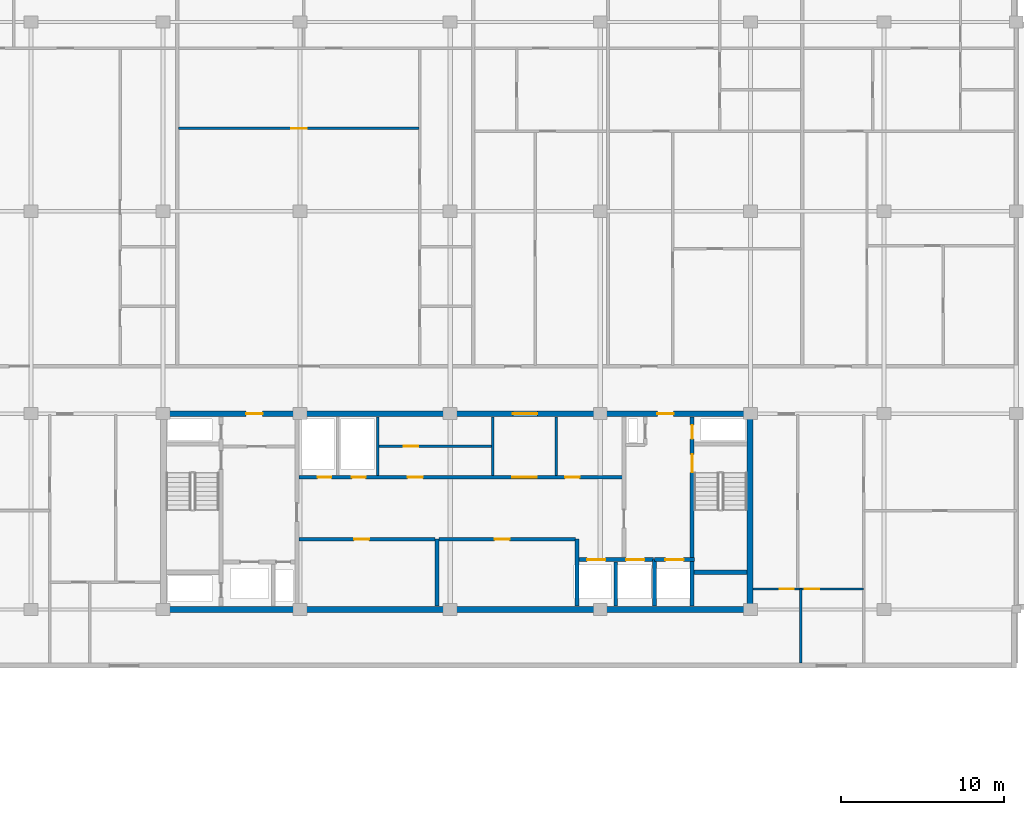
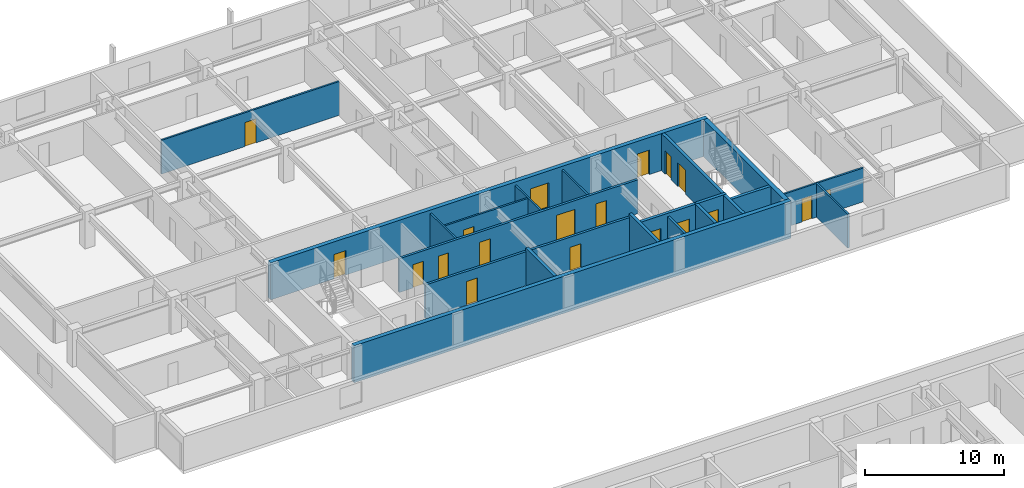
# One storey, part 11 of 21: 21 walls, 19 doors, 19 openings.
"""IFC4 building model written with IfcOpenShell, lengths in metres."""

from ifc_helpers import new_model, si_unit, direction, frame, frame_2d, origin, place, context, subcontext, project, spatial, rectangle, extrude, material, layer, layer_set, type_object, element, fill, save


model = new_model("IFC4")

# Units and contexts
model_context = context("Model", 3, precision=1e-05, world=origin(), true_north=direction((0.0, 1.0)))
body_context = subcontext(model_context, "Body", "Model", "MODEL_VIEW")
ifc_project = project(units=[si_unit("LENGTHUNIT", "METRE"), si_unit("AREAUNIT", "SQUARE_METRE"), si_unit("VOLUMEUNIT", "CUBIC_METRE"), si_unit("PLANEANGLEUNIT", "RADIAN"), si_unit("MASSUNIT", "GRAM", prefix="KILO")], contexts=[model_context])

# Site, building, storey
site_placement = place(None, origin())
site = spatial("IfcSite", under=ifc_project, at=site_placement, CompositionType="ELEMENT")
building_placement = place(site_placement, origin())
building = spatial("IfcBuilding", under=site, at=building_placement, Name="Korimba Cascade Residences", CompositionType="ELEMENT")
storey_placement = place(building_placement, frame((0.0, 0.0, 184.85009765625)))
storey = spatial("IfcBuildingStorey", under=building, at=storey_placement, Name="L53", CompositionType="ELEMENT", Elevation=184.85009765625)

# Walls
ifc_material_1 = material(Name="Concrete C65/80", Category="concrete")
ifc_layer_1 = layer(ifc_material_1, 0.35009765625)
ifc_layer_set_1 = layer_set([ifc_layer_1], Name="Concrete C65/80")
wall_type_1 = type_object("IfcWallType", Name="WAL-CORE-350", PredefinedType="SHEAR", material=ifc_layer_set_1)
wall_1_placement = place(storey_placement, frame((75.949951171875, 55.199951171875, 0.0), z_axis=(0.0, 0.0, 1.0), x_axis=(1.0, 0.0, 0.0)))
element("IfcWall", 1, at=wall_1_placement, inside=storey, type_object=wall_type_1, Name="L53 Core Shear Wall CW-L53-T1-S", PredefinedType="SHEAR", context=body_context, shape_type="SweptSolid", body=[
    extrude(rectangle(XDim=36.300048828125, YDim=0.35009765625, at=frame_2d((18.14990234375, 0.0))), origin(), (0.0, 0.0, 1.0), 3.25),
])
wall_2_placement = place(storey_placement, frame((112.074951171875, 55.375, 0.0), z_axis=(0.0, 0.0, 1.0), x_axis=(0.0, 1.0, 0.0)))
element("IfcWall", 2, at=wall_2_placement, inside=storey, type_object=wall_type_1, Name="L53 Core Shear Wall CW-L53-T1-E", PredefinedType="SHEAR", context=body_context, shape_type="SweptSolid", body=[
    extrude(rectangle(XDim=11.64990234375, YDim=0.35009765625, at=frame_2d((5.824951171875, 0.0))), origin(), (0.0, 0.0, 1.0), 3.25),
])

# Wall, openings, doors
wall_3_placement = place(storey_placement, frame((75.949951171875, 67.199951171875, 0.0), z_axis=(0.0, 0.0, 1.0), x_axis=(1.0, 0.0, 0.0)))
wall_3 = element("IfcWall", 3, at=wall_3_placement, inside=storey, type_object=wall_type_1, Name="L53 Core Shear Wall CW-L53-T1-N", PredefinedType="SHEAR", context=body_context, shape_type="SweptSolid", body=[
    extrude(rectangle(XDim=36.300048828125, YDim=0.35009765625, at=frame_2d((18.14990234375, 0.0))), origin(), (0.0, 0.0, 1.0), 3.25),
])
opening_1_placement = place(wall_3_placement, frame((5.25, 0.0, 0.0)))
opening_1 = element("IfcOpeningElement", 4, at=opening_1_placement, cuts=wall_3, Name="Opening D-FD5", PredefinedType="OPENING", context=body_context, shape_type="SweptSolid", body=[
    extrude(rectangle(XDim=1.0, YDim=2.14990234375, at=frame_2d((0.5, 1.074951171875))), frame((0.0, 0.18505859375, 0.0), z_axis=(0.0, -1.0, 0.0), x_axis=(1.0, 0.0, 0.0)), (0.0, 0.0, 1.0), 0.3701171875),
])
opening_2_placement = place(wall_3_placement, frame((21.60009765625, 0.0, 0.0)))
opening_2 = element("IfcOpeningElement", 5, at=opening_2_placement, cuts=wall_3, Name="Opening D-FD8", PredefinedType="OPENING", context=body_context, shape_type="SweptSolid", body=[
    extrude(rectangle(XDim=1.5, YDim=2.199951171875, at=frame_2d((0.75, 1.10009765625))), frame((0.0, 0.18505859375, 0.0), z_axis=(0.0, -1.0, 0.0), x_axis=(1.0, 0.0, 0.0)), (0.0, 0.0, 1.0), 0.3701171875),
])
opening_3_placement = place(wall_3_placement, frame((30.449951171875, 0.0, 0.0)))
opening_3 = element("IfcOpeningElement", 6, at=opening_3_placement, cuts=wall_3, Name="Opening D-FD5", PredefinedType="OPENING", context=body_context, shape_type="SweptSolid", body=[
    extrude(rectangle(XDim=1.0, YDim=2.14990234375, at=frame_2d((0.5, 1.074951171875))), frame((0.0, 0.18505859375, 0.0), z_axis=(0.0, -1.0, 0.0), x_axis=(1.0, 0.0, 0.0)), (0.0, 0.0, 1.0), 0.3701171875),
])
ifc_material_2 = material(Name="Fire-Rated Acoustic Timber Vestibule Door", Category="wood")
door_type_1 = type_object("IfcDoorType", Name="DR-FD90-1000", OperationType="NOTDEFINED", PredefinedType="DOOR", material=ifc_material_2)
door_1_placement = place(opening_1_placement, origin())
door_1 = element("IfcDoor", 7, at=door_1_placement, inside=storey, type_object=door_type_1, Name="L53 T1 West Core Vestibule Fire Door", OperationType="SINGLE_SWING_LEFT", OverallHeight=2.14990234375, OverallWidth=1.0, PredefinedType="DOOR", context=body_context, shape_type="SweptSolid", body=[
    extrude(rectangle(XDim=1.0, YDim=2.14990234375, at=frame_2d((0.5, 1.074951171875))), frame((0.0, 0.02490234375, 0.0), z_axis=(0.0, -1.0, 0.0), x_axis=(1.0, 0.0, 0.0)), (0.0, 0.0, 1.0), 0.050048828125),
])
fill(opening_1, door_1)
door_2_placement = place(opening_3_placement, origin())
door_2 = element("IfcDoor", 8, at=door_2_placement, inside=storey, type_object=door_type_1, Name="L53 T1 East Firefighting Vestibule Fire Door", OperationType="SINGLE_SWING_RIGHT", OverallHeight=2.14990234375, OverallWidth=1.0, PredefinedType="DOOR", context=body_context, shape_type="SweptSolid", body=[
    extrude(rectangle(XDim=1.0, YDim=2.14990234375, at=frame_2d((0.5, 1.074951171875))), frame((0.0, 0.02490234375, 0.0), z_axis=(0.0, -1.0, 0.0), x_axis=(1.0, 0.0, 0.0)), (0.0, 0.0, 1.0), 0.050048828125),
])
fill(opening_3, door_2)
ifc_material_3 = material(Name="Fire-Rated Glazed Lift Lobby Double Door", Category="glass")
door_type_2 = type_object("IfcDoorType", Name="DR-FD90-1500", OperationType="NOTDEFINED", PredefinedType="DOOR", material=ifc_material_3)
door_3_placement = place(opening_2_placement, origin())
door_3 = element("IfcDoor", 9, at=door_3_placement, inside=storey, type_object=door_type_2, Name="L53 T1 Lift Lobby Fire Door", OperationType="DOUBLE_DOOR_SINGLE_SWING", OverallHeight=2.199951171875, OverallWidth=1.5, PredefinedType="DOOR", context=body_context, shape_type="SweptSolid", body=[
    extrude(rectangle(XDim=1.5, YDim=2.199951171875, at=frame_2d((0.75, 1.10009765625))), frame((0.0, 0.02490234375, 0.0), z_axis=(0.0, -1.0, 0.0), x_axis=(1.0, 0.0, 0.0)), (0.0, 0.0, 1.0), 0.050048828125),
])
fill(opening_2, door_3)

# Wall
ifc_material_4 = material(Name="Insulated Acoustic Stud Partition", Category="gypsum")
ifc_layer_2 = layer(ifc_material_4, 0.14990234375)
ifc_layer_set_2 = layer_set([ifc_layer_2], Name="Insulated Acoustic Stud Partition")
wall_type_2 = type_object("IfcWallType", Name="WAL-PART-150", PredefinedType="PARTITIONING", material=ifc_layer_set_2)
wall_4_placement = place(storey_placement, frame((89.25, 63.39990234375, 0.0), z_axis=(0.0, 0.0, 1.0), x_axis=(0.0, 1.0, 0.0)))
element("IfcWall", 10, at=wall_4_placement, inside=storey, type_object=wall_type_2, Name="L53 Partition Wall CW-L53-T1-PRDIV", PredefinedType="PARTITIONING", context=body_context, shape_type="SweptSolid", body=[
    extrude(rectangle(XDim=3.60009765625, YDim=0.14990234375, at=frame_2d((1.800048828125, 0.0))), origin(), (0.0, 0.0, 1.0), 2.969970703125),
])

# Wall, opening, door
wall_5_placement = place(storey_placement, frame((89.25, 65.199951171875, 0.0), z_axis=(0.0, 0.0, 1.0), x_axis=(1.0, 0.0, 0.0)))
wall_5 = element("IfcWall", 11, at=wall_5_placement, inside=storey, type_object=wall_type_2, Name="L53 Partition Wall CW-L53-T1-CA2HZ", PredefinedType="PARTITIONING", context=body_context, shape_type="SweptSolid", body=[
    extrude(rectangle(XDim=7.050048828125, YDim=0.14990234375, at=frame_2d((3.52490234375, 0.0))), origin(), (0.0, 0.0, 1.0), 2.969970703125),
])
opening_4_placement = place(wall_5_placement, frame((1.60009765625, 0.0, 0.0)))
opening_4 = element("IfcOpeningElement", 12, at=opening_4_placement, cuts=wall_5, Name="Opening D-IN2", PredefinedType="OPENING", context=body_context, shape_type="SweptSolid", body=[
    extrude(rectangle(XDim=0.8798828125, YDim=2.06005859375, at=frame_2d((0.43994140625, 1.030029296875))), frame((0.0, 0.0849609375, 0.0), z_axis=(0.0, -1.0, 0.0), x_axis=(1.0, 0.0, 0.0)), (0.0, 0.0, 1.0), 0.169921875),
])
ifc_material_5 = material(Name="Acoustic Timber Bedroom Door", Category="wood")
door_type_3 = type_object("IfcDoorType", Name="DR-INT-880", OperationType="NOTDEFINED", PredefinedType="DOOR", material=ifc_material_5)
door_4_placement = place(opening_4_placement, origin())
door_4 = element("IfcDoor", 13, at=door_4_placement, inside=storey, type_object=door_type_3, Name="L53 Pram Store Door", OperationType="SINGLE_SWING_LEFT", OverallHeight=2.06005859375, OverallWidth=0.8798828125, PredefinedType="DOOR", context=body_context, shape_type="SweptSolid", body=[
    extrude(rectangle(XDim=0.8798828125, YDim=2.06005859375, at=frame_2d((0.43994140625, 1.030029296875))), frame((0.0, 0.02490234375, 0.0), z_axis=(0.0, -1.0, 0.0), x_axis=(1.0, 0.0, 0.0)), (0.0, 0.0, 1.0), 0.050048828125),
])
fill(opening_4, door_4)

# Walls
for number, where, z_axis, x_axis, name in (
    (14, (96.300048828125, 63.39990234375, 0.0), (0.0, 0.0, 1.0), (0.0, 1.0, 0.0), "L53 Partition Wall CW-L53-T1-THW"),
    (15, (100.199951171875, 63.39990234375, 0.0), (0.0, 0.0, 1.0), (0.0, 1.0, 0.0), "L53 Partition Wall CW-L53-T1-THE"),
):
    element("IfcWall", number, at=place(storey_placement, frame(where, z_axis=z_axis, x_axis=x_axis)), inside=storey, type_object=wall_type_2, Name=name, PredefinedType="PARTITIONING", context=body_context, shape_type="SweptSolid", body=[
        extrude(rectangle(XDim=3.60009765625, YDim=0.14990234375, at=frame_2d((1.800048828125, 0.0))), origin(), (0.0, 0.0, 1.0), 2.969970703125),
    ])
wall_6_placement = place(storey_placement, frame((115.199951171875, 51.89990234375, 0.0), z_axis=(0.0, 0.0, 1.0), x_axis=(0.0, 1.0, 0.0)))
element("IfcWall", 16, at=wall_6_placement, inside=storey, type_object=wall_type_2, Name="L53 Partition Wall WAL-L53-T1-FE-VS", PredefinedType="PARTITIONING", context=body_context, shape_type="SweptSolid", body=[
    extrude(rectangle(XDim=4.550048828125, YDim=0.14990234375, at=frame_2d((2.27490234375, 0.0))), origin(), (0.0, 0.0, 1.0), 2.969970703125),
])

# Wall, openings, doors
wall_7_placement = place(storey_placement, frame((112.27001953125, 56.449951171875, 0.0), z_axis=(0.0, 0.0, 1.0), x_axis=(1.0, 0.0, 0.0)))
wall_7 = element("IfcWall", 17, at=wall_7_placement, inside=storey, type_object=wall_type_2, Name="L53 Partition Wall WAL-L53-T1-FE-H", PredefinedType="PARTITIONING", context=body_context, shape_type="SweptSolid", body=[
    extrude(rectangle(XDim=6.760009765625, YDim=0.14990234375, at=frame_2d((3.3798828125, 0.0))), origin(), (0.0, 0.0, 1.0), 2.969970703125),
])
opening_5_placement = place(wall_7_placement, frame((1.6396484375, 0.0, 0.0)))
opening_5 = element("IfcOpeningElement", 18, at=opening_5_placement, cuts=wall_7, Name="Opening D-BT1", PredefinedType="OPENING", context=body_context, shape_type="SweptSolid", body=[
    extrude(rectangle(XDim=0.840087890625, YDim=2.0400390625, at=frame_2d((0.419921875, 1.02001953125))), frame((0.0, 0.0849609375, 0.0), z_axis=(0.0, -1.0, 0.0), x_axis=(1.0, 0.0, 0.0)), (0.0, 0.0, 1.0), 0.169921875),
])
opening_6_placement = place(wall_7_placement, frame((3.160400390625, 0.0, 0.0)))
opening_6 = element("IfcOpeningElement", 19, at=opening_6_placement, cuts=wall_7, Name="Opening D-IN2", PredefinedType="OPENING", context=body_context, shape_type="SweptSolid", body=[
    extrude(rectangle(XDim=0.8798828125, YDim=2.06005859375, at=frame_2d((0.43994140625, 1.030029296875))), frame((0.0, 0.0849609375, 0.0), z_axis=(0.0, -1.0, 0.0), x_axis=(1.0, 0.0, 0.0)), (0.0, 0.0, 1.0), 0.169921875),
])
ifc_material_6 = material(Name="Moisture-Resistant Bathroom Timber Door", Category="wood")
door_type_4 = type_object("IfcDoorType", Name="DR-INT-850", OperationType="NOTDEFINED", PredefinedType="DOOR", material=ifc_material_6)
door_5_placement = place(opening_5_placement, origin())
door_5 = element("IfcDoor", 20, at=door_5_placement, inside=storey, type_object=door_type_4, Name="L53-T1-FE Bathroom Door", OperationType="SINGLE_SWING_LEFT", OverallHeight=2.0400390625, OverallWidth=0.840087890625, PredefinedType="DOOR", context=body_context, shape_type="SweptSolid", body=[
    extrude(rectangle(XDim=0.840087890625, YDim=2.0400390625, at=frame_2d((0.419921875, 1.02001953125))), frame((0.0, 0.02490234375, 0.0), z_axis=(0.0, -1.0, 0.0), x_axis=(1.0, 0.0, 0.0)), (0.0, 0.0, 1.0), 0.050048828125),
])
fill(opening_5, door_5)
door_6_placement = place(opening_6_placement, origin())
door_6 = element("IfcDoor", 21, at=door_6_placement, inside=storey, type_object=door_type_3, Name="L53-T1-FE Bedroom Door", OperationType="SINGLE_SWING_RIGHT", OverallHeight=2.06005859375, OverallWidth=0.8798828125, PredefinedType="DOOR", context=body_context, shape_type="SweptSolid", body=[
    extrude(rectangle(XDim=0.8798828125, YDim=2.06005859375, at=frame_2d((0.43994140625, 1.030029296875))), frame((0.0, 0.02490234375, 0.0), z_axis=(0.0, -1.0, 0.0), x_axis=(1.0, 0.0, 0.0)), (0.0, 0.0, 1.0), 0.050048828125),
])
fill(opening_6, door_6)

# Wall, opening, door
wall_8_placement = place(storey_placement, frame((77.048095703125, 84.679931640625, 0.0), z_axis=(0.0, 0.0, 1.0), x_axis=(1.0, 0.0, 0.0)))
wall_8 = element("IfcWall", 22, at=wall_8_placement, inside=storey, type_object=wall_type_2, Name="L53 Partition Wall WAL-L53-T1-U02-CARH", PredefinedType="PARTITIONING", context=body_context, shape_type="SweptSolid", body=[
    extrude(rectangle(XDim=14.75341796875, YDim=0.14990234375, at=frame_2d((7.376708984375, 0.0))), origin(), (0.0, 0.0, 1.0), 2.969970703125),
])
opening_7_placement = place(wall_8_placement, frame((6.906494140625, 0.0, 0.0)))
opening_7 = element("IfcOpeningElement", 23, at=opening_7_placement, cuts=wall_8, Name="Opening D-IN0", PredefinedType="OPENING", context=body_context, shape_type="SweptSolid", body=[
    extrude(rectangle(XDim=0.93994140625, YDim=2.10009765625, at=frame_2d((0.469970703125, 1.050048828125))), frame((0.0, 0.0849609375, 0.0), z_axis=(0.0, -1.0, 0.0), x_axis=(1.0, 0.0, 0.0)), (0.0, 0.0, 1.0), 0.169921875),
])
ifc_material_7 = material(Name="Acoustic Timber Living Archway Door", Category="wood")
door_type_5 = type_object("IfcDoorType", Name="DR-INT-950", OperationType="NOTDEFINED", PredefinedType="DOOR", material=ifc_material_7)
door_7_placement = place(opening_7_placement, origin())
door_7 = element("IfcDoor", 24, at=door_7_placement, inside=storey, type_object=door_type_5, Name="L53-T1-U02 Wellness Clinic Foyer Door", OperationType="SINGLE_SWING_LEFT", OverallHeight=2.10009765625, OverallWidth=0.93994140625, PredefinedType="DOOR", context=body_context, shape_type="SweptSolid", body=[
    extrude(rectangle(XDim=0.93994140625, YDim=2.10009765625, at=frame_2d((0.469970703125, 1.050048828125))), frame((0.0, 0.02490234375, 0.0), z_axis=(0.0, -1.0, 0.0), x_axis=(1.0, 0.0, 0.0)), (0.0, 0.0, 1.0), 0.050048828125),
])
fill(opening_7, door_7)

ifc_material_8 = material(Name="Concrete C40/50", Category="concrete")
ifc_layer_3 = layer(ifc_material_8, 0.199951171875)
ifc_layer_set_3 = layer_set([ifc_layer_3], Name="Concrete C40/50")
wall_type_3 = type_object("IfcWallType", Name="WAL-PART-200", PredefinedType="PARTITIONING", material=ifc_layer_set_3)
wall_9_placement = place(storey_placement, frame((84.419921875, 59.5, 0.0), z_axis=(0.0, 0.0, 1.0), x_axis=(1.0, 0.0, 0.0)))
wall_9 = element("IfcWall", 25, at=wall_9_placement, inside=storey, type_object=wall_type_3, Name="L53 Partition Wall CW-L53-T1-B1RN", PredefinedType="PARTITIONING", context=body_context, shape_type="SweptSolid", body=[
    extrude(rectangle(XDim=8.360107421875, YDim=0.199951171875, at=frame_2d((4.18017578125, 0.0))), origin(), (0.0, 0.0, 1.0), 2.969970703125),
])
opening_8_placement = place(wall_9_placement, frame((3.39990234375, 0.0, 0.0)))
opening_8 = element("IfcOpeningElement", 26, at=opening_8_placement, cuts=wall_9, Name="Opening D-ST1", PredefinedType="OPENING", context=body_context, shape_type="SweptSolid", body=[
    extrude(rectangle(XDim=0.919921875, YDim=2.080078125, at=frame_2d((0.4599609375, 1.0400390625))), frame((0.0, 0.10986328125, 0.0), z_axis=(0.0, -1.0, 0.0), x_axis=(1.0, 0.0, 0.0)), (0.0, 0.0, 1.0), 0.219970703125),
])
ifc_material_9 = material(Name="Fire-Rated Core Store Door", Category="wood")
door_type_6 = type_object("IfcDoorType", Name="DR-FD60-920", OperationType="NOTDEFINED", PredefinedType="DOOR", material=ifc_material_9)
door_8_placement = place(opening_8_placement, origin())
door_8 = element("IfcDoor", 27, at=door_8_placement, inside=storey, type_object=door_type_6, Name="L53 Resident Storage Door", OperationType="SINGLE_SWING_LEFT", OverallHeight=2.080078125, OverallWidth=0.919921875, PredefinedType="DOOR", context=body_context, shape_type="SweptSolid", body=[
    extrude(rectangle(XDim=0.919921875, YDim=2.080078125, at=frame_2d((0.4599609375, 1.0400390625))), frame((0.0, 0.02490234375, 0.0), z_axis=(0.0, -1.0, 0.0), x_axis=(1.0, 0.0, 0.0)), (0.0, 0.0, 1.0), 0.050048828125),
])
fill(opening_8, door_8)

wall_10_placement = place(storey_placement, frame((93.02001953125, 59.5, 0.0), z_axis=(0.0, 0.0, 1.0), x_axis=(1.0, 0.0, 0.0)))
wall_10 = element("IfcWall", 28, at=wall_10_placement, inside=storey, type_object=wall_type_3, Name="L53 Partition Wall CW-L53-T1-B2RN", PredefinedType="PARTITIONING", context=body_context, shape_type="SweptSolid", body=[
    extrude(rectangle(XDim=8.35986328125, YDim=0.199951171875, at=frame_2d((4.179931640625, 0.0))), origin(), (0.0, 0.0, 1.0), 2.969970703125),
])
opening_9_placement = place(wall_10_placement, frame((3.39990234375, 0.0, 0.0)))
opening_9 = element("IfcOpeningElement", 29, at=opening_9_placement, cuts=wall_10, Name="Opening D-ST1", PredefinedType="OPENING", context=body_context, shape_type="SweptSolid", body=[
    extrude(rectangle(XDim=0.919921875, YDim=2.080078125, at=frame_2d((0.4599609375, 1.0400390625))), frame((0.0, 0.10986328125, 0.0), z_axis=(0.0, -1.0, 0.0), x_axis=(1.0, 0.0, 0.0)), (0.0, 0.0, 1.0), 0.219970703125),
])
door_9_placement = place(opening_9_placement, origin())
door_9 = element("IfcDoor", 30, at=door_9_placement, inside=storey, type_object=door_type_6, Name="L53 Wine Cellar Store Door", OperationType="SINGLE_SWING_RIGHT", OverallHeight=2.080078125, OverallWidth=0.919921875, PredefinedType="DOOR", context=body_context, shape_type="SweptSolid", body=[
    extrude(rectangle(XDim=0.919921875, YDim=2.080078125, at=frame_2d((0.4599609375, 1.0400390625))), frame((0.0, 0.02490234375, 0.0), z_axis=(0.0, -1.0, 0.0), x_axis=(1.0, 0.0, 0.0)), (0.0, 0.0, 1.0), 0.050048828125),
])
fill(opening_9, door_9)

# Wall
wall_11_placement = place(storey_placement, frame((103.85009765625, 55.39990234375, 0.0), z_axis=(0.0, 0.0, 1.0), x_axis=(0.0, 1.0, 0.0)))
element("IfcWall", 31, at=wall_11_placement, inside=storey, type_object=wall_type_3, Name="L53 Partition Wall CW-L53-T1-B3D1", PredefinedType="PARTITIONING", context=body_context, shape_type="SweptSolid", body=[
    extrude(rectangle(XDim=2.72021484375, YDim=0.199951171875, at=frame_2d((1.360107421875, 0.0))), origin(), (0.0, 0.0, 1.0), 2.969970703125),
])

# Wall, openings, doors
wall_12_placement = place(storey_placement, frame((84.419921875, 63.300048828125, 0.0), z_axis=(0.0, 0.0, 1.0), x_axis=(1.0, 0.0, 0.0)))
wall_12 = element("IfcWall", 32, at=wall_12_placement, inside=storey, type_object=wall_type_3, Name="L53 Partition Wall CW-L53-T1-SRVROW", PredefinedType="PARTITIONING", context=body_context, shape_type="SweptSolid", body=[
    extrude(rectangle(XDim=19.830078125, YDim=0.199951171875, at=frame_2d((9.9150390625, 0.0))), origin(), (0.0, 0.0, 1.0), 2.969970703125),
])
opening_10_placement = place(wall_12_placement, frame((1.14990234375, 0.0, 0.0)))
opening_10 = element("IfcOpeningElement", 33, at=opening_10_placement, cuts=wall_12, Name="Opening D-RS1", PredefinedType="OPENING", context=body_context, shape_type="SweptSolid", body=[
    extrude(rectangle(XDim=0.85009765625, YDim=2.050048828125, at=frame_2d((0.425048828125, 1.02490234375))), frame((0.0, 0.10986328125, 0.0), z_axis=(0.0, -1.0, 0.0), x_axis=(1.0, 0.0, 0.0)), (0.0, 0.0, 1.0), 0.219970703125),
])
opening_11_placement = place(wall_12_placement, frame((3.25, 0.0, 0.0)))
opening_11 = element("IfcOpeningElement", 34, at=opening_11_placement, cuts=wall_12, Name="Opening D-RS1", PredefinedType="OPENING", context=body_context, shape_type="SweptSolid", body=[
    extrude(rectangle(XDim=0.85009765625, YDim=2.050048828125, at=frame_2d((0.425048828125, 1.02490234375))), frame((0.0, 0.10986328125, 0.0), z_axis=(0.0, -1.0, 0.0), x_axis=(1.0, 0.0, 0.0)), (0.0, 0.0, 1.0), 0.219970703125),
])
opening_12_placement = place(wall_12_placement, frame((13.080078125, 0.0, 0.0)))
opening_12 = element("IfcOpeningElement", 35, at=opening_12_placement, cuts=wall_12, Name="Opening D-FD8", PredefinedType="OPENING", context=body_context, shape_type="SweptSolid", body=[
    extrude(rectangle(XDim=1.5, YDim=2.199951171875, at=frame_2d((0.75, 1.10009765625))), frame((0.0, 0.10986328125, 0.0), z_axis=(0.0, -1.0, 0.0), x_axis=(1.0, 0.0, 0.0)), (0.0, 0.0, 1.0), 0.219970703125),
])
opening_13_placement = place(wall_12_placement, frame((6.679931640625, 0.0, 0.0)))
opening_13 = element("IfcOpeningElement", 36, at=opening_13_placement, cuts=wall_12, Name="Opening D-IN1", PredefinedType="OPENING", context=body_context, shape_type="SweptSolid", body=[
    extrude(rectangle(XDim=0.919921875, YDim=2.080078125, at=frame_2d((0.4599609375, 1.0400390625))), frame((0.0, 0.10986328125, 0.0), z_axis=(0.0, -1.0, 0.0), x_axis=(1.0, 0.0, 0.0)), (0.0, 0.0, 1.0), 0.219970703125),
])
opening_14_placement = place(wall_12_placement, frame((16.330078125, 0.0, 0.0)))
opening_14 = element("IfcOpeningElement", 37, at=opening_14_placement, cuts=wall_12, Name="Opening D-IN2", PredefinedType="OPENING", context=body_context, shape_type="SweptSolid", body=[
    extrude(rectangle(XDim=0.8798828125, YDim=2.06005859375, at=frame_2d((0.43994140625, 1.030029296875))), frame((0.0, 0.10986328125, 0.0), z_axis=(0.0, -1.0, 0.0), x_axis=(1.0, 0.0, 0.0)), (0.0, 0.0, 1.0), 0.219970703125),
])
ifc_material_10 = material(Name="Fire-Rated Steel Riser Access Door", Category="steel")
door_type_7 = type_object("IfcDoorType", Name="DR-FD60-850", OperationType="NOTDEFINED", PredefinedType="DOOR", material=ifc_material_10)
door_10_placement = place(opening_10_placement, origin())
door_10 = element("IfcDoor", 38, at=door_10_placement, inside=storey, type_object=door_type_7, Name="L53 Electrical Riser Door", OperationType="SINGLE_SWING_RIGHT", OverallHeight=2.050048828125, OverallWidth=0.85009765625, PredefinedType="DOOR", context=body_context, shape_type="SweptSolid", body=[
    extrude(rectangle(XDim=0.85009765625, YDim=2.050048828125, at=frame_2d((0.425048828125, 1.02490234375))), frame((0.0, 0.02490234375, 0.0), z_axis=(0.0, -1.0, 0.0), x_axis=(1.0, 0.0, 0.0)), (0.0, 0.0, 1.0), 0.050048828125),
])
fill(opening_10, door_10)
door_11_placement = place(opening_11_placement, origin())
door_11 = element("IfcDoor", 39, at=door_11_placement, inside=storey, type_object=door_type_7, Name="L53 Plumbing Riser Door", OperationType="SINGLE_SWING_LEFT", OverallHeight=2.050048828125, OverallWidth=0.85009765625, PredefinedType="DOOR", context=body_context, shape_type="SweptSolid", body=[
    extrude(rectangle(XDim=0.85009765625, YDim=2.050048828125, at=frame_2d((0.425048828125, 1.02490234375))), frame((0.0, 0.02490234375, 0.0), z_axis=(0.0, -1.0, 0.0), x_axis=(1.0, 0.0, 0.0)), (0.0, 0.0, 1.0), 0.050048828125),
])
fill(opening_11, door_11)
door_12_placement = place(opening_12_placement, origin())
door_12 = element("IfcDoor", 40, at=door_12_placement, inside=storey, type_object=door_type_2, Name="L53 Lift Lobby Foyer Archway Door", OperationType="DOUBLE_DOOR_SINGLE_SWING", OverallHeight=2.199951171875, OverallWidth=1.5, PredefinedType="DOOR", context=body_context, shape_type="SweptSolid", body=[
    extrude(rectangle(XDim=1.5, YDim=2.199951171875, at=frame_2d((0.75, 1.10009765625))), frame((0.0, 0.02490234375, 0.0), z_axis=(0.0, -1.0, 0.0), x_axis=(1.0, 0.0, 0.0)), (0.0, 0.0, 1.0), 0.050048828125),
])
fill(opening_12, door_12)
door_13_placement = place(opening_14_placement, origin())
door_13 = element("IfcDoor", 41, at=door_13_placement, inside=storey, type_object=door_type_3, Name="L53 Staff WC Door", OperationType="SINGLE_SWING_LEFT", OverallHeight=2.06005859375, OverallWidth=0.8798828125, PredefinedType="DOOR", context=body_context, shape_type="SweptSolid", body=[
    extrude(rectangle(XDim=0.8798828125, YDim=2.06005859375, at=frame_2d((0.43994140625, 1.030029296875))), frame((0.0, 0.02490234375, 0.0), z_axis=(0.0, -1.0, 0.0), x_axis=(1.0, 0.0, 0.0)), (0.0, 0.0, 1.0), 0.050048828125),
])
fill(opening_14, door_13)
ifc_material_11 = material(Name="Acoustic Timber Living Door", Category="wood")
door_type_8 = type_object("IfcDoorType", Name="DR-INT-920", OperationType="NOTDEFINED", PredefinedType="DOOR", material=ifc_material_11)
door_14_placement = place(opening_13_placement, origin())
door_14 = element("IfcDoor", 42, at=door_14_placement, inside=storey, type_object=door_type_8, Name="L53 Locker Room Door", OperationType="SINGLE_SWING_RIGHT", OverallHeight=2.080078125, OverallWidth=0.919921875, PredefinedType="DOOR", context=body_context, shape_type="SweptSolid", body=[
    extrude(rectangle(XDim=0.919921875, YDim=2.080078125, at=frame_2d((0.4599609375, 1.0400390625))), frame((0.0, 0.02490234375, 0.0), z_axis=(0.0, -1.0, 0.0), x_axis=(1.0, 0.0, 0.0)), (0.0, 0.0, 1.0), 0.050048828125),
])
fill(opening_13, door_14)

# Walls
ifc_material_12 = material(Name="Concrete C50/60", Category="concrete")
ifc_layer_4 = layer(ifc_material_12, 0.25)
ifc_layer_set_4 = layer_set([ifc_layer_4], Name="Concrete C50/60")
wall_type_4 = type_object("IfcWallType", Name="WAL-SHAFT-250", PredefinedType="SHEAR", material=ifc_layer_set_4)
for number, where, z_axis, x_axis, name in (
    (43, (92.89990234375, 55.39990234375, 0.0), (0.0, 0.0, 1.0), (0.0, 1.0, 0.0), "L53 Core Shear Wall CW-L53-T1-B12DIV"),
    (44, (101.47998046875, 55.39990234375, 0.0), (0.0, 0.0, 1.0), (0.0, 1.0, 0.0), "L53 Core Shear Wall CW-L53-T1-B23DIV"),
):
    element("IfcWall", number, at=place(storey_placement, frame(where, z_axis=z_axis, x_axis=x_axis)), inside=storey, type_object=wall_type_4, Name=name, PredefinedType="SHEAR", context=body_context, shape_type="SweptSolid", body=[
        extrude(rectangle(XDim=4.10009765625, YDim=0.25, at=frame_2d((2.050048828125, 0.0))), origin(), (0.0, 0.0, 1.0), 3.25),
    ])

# Wall, openings, doors
wall_13_placement = place(storey_placement, frame((101.550048828125, 58.25, 0.0), z_axis=(0.0, 0.0, 1.0), x_axis=(1.0, 0.0, 0.0)))
wall_13 = element("IfcWall", 45, at=wall_13_placement, inside=storey, type_object=wall_type_4, Name="L53 Core Shear Wall CW-L53-T1-B3N", PredefinedType="SHEAR", context=body_context, shape_type="SweptSolid", body=[
    extrude(rectangle(XDim=4.599853515625, YDim=0.25, at=frame_2d((2.2998046875, 0.0))), origin(), (0.0, 0.0, 1.0), 3.25),
])
opening_15_placement = place(wall_13_placement, frame((0.5400390625, 0.0, 0.0)))
opening_15 = element("IfcOpeningElement", 46, at=opening_15_placement, cuts=wall_13, Name="Opening LD-01", PredefinedType="OPENING", context=body_context, shape_type="SweptSolid", body=[
    extrude(rectangle(XDim=1.1201171875, YDim=2.1201171875, at=frame_2d((0.56005859375, 1.06005859375))), frame((0.0, 0.135009765625, 0.0), z_axis=(0.0, -1.0, 0.0), x_axis=(1.0, 0.0, 0.0)), (0.0, 0.0, 1.0), 0.27001953125),
])
opening_16_placement = place(wall_13_placement, frame((2.93994140625, 0.0, 0.0)))
opening_16 = element("IfcOpeningElement", 47, at=opening_16_placement, cuts=wall_13, Name="Opening LD-01", PredefinedType="OPENING", context=body_context, shape_type="SweptSolid", body=[
    extrude(rectangle(XDim=1.1201171875, YDim=2.1201171875, at=frame_2d((0.56005859375, 1.06005859375))), frame((0.0, 0.135009765625, 0.0), z_axis=(0.0, -1.0, 0.0), x_axis=(1.0, 0.0, 0.0)), (0.0, 0.0, 1.0), 0.27001953125),
])
ifc_material_13 = material(Name="Stainless Steel Lift Landing Sliding Door", Category="steel")
door_type_9 = type_object("IfcDoorType", Name="DR-LIFT-1100", OperationType="NOTDEFINED", PredefinedType="DOOR", material=ifc_material_13)
door_15_placement = place(opening_15_placement, origin())
door_15 = element("IfcDoor", 48, at=door_15_placement, inside=storey, type_object=door_type_9, Name="L53 Lift Landing Door PL-W7", OperationType="SLIDING_TO_LEFT", OverallHeight=2.1201171875, OverallWidth=1.1201171875, PredefinedType="DOOR", context=body_context, shape_type="SweptSolid", body=[
    extrude(rectangle(XDim=1.1201171875, YDim=2.1201171875, at=frame_2d((0.56005859375, 1.06005859375))), frame((0.0, 0.02490234375, 0.0), z_axis=(0.0, -1.0, 0.0), x_axis=(1.0, 0.0, 0.0)), (0.0, 0.0, 1.0), 0.050048828125),
])
fill(opening_15, door_15)
door_16_placement = place(opening_16_placement, origin())
door_16 = element("IfcDoor", 49, at=door_16_placement, inside=storey, type_object=door_type_9, Name="L53 Lift Landing Door PL-W8", OperationType="SLIDING_TO_LEFT", OverallHeight=2.1201171875, OverallWidth=1.1201171875, PredefinedType="DOOR", context=body_context, shape_type="SweptSolid", body=[
    extrude(rectangle(XDim=1.1201171875, YDim=2.1201171875, at=frame_2d((0.56005859375, 1.06005859375))), frame((0.0, 0.02490234375, 0.0), z_axis=(0.0, -1.0, 0.0), x_axis=(1.0, 0.0, 0.0)), (0.0, 0.0, 1.0), 0.050048828125),
])
fill(opening_16, door_16)

# Wall
wall_14_placement = place(storey_placement, frame((106.219970703125, 55.39990234375, 0.0), z_axis=(0.0, 0.0, 1.0), x_axis=(0.0, 1.0, 0.0)))
element("IfcWall", 50, at=wall_14_placement, inside=storey, type_object=wall_type_4, Name="L53 Core Shear Wall CW-L53-T1-FF2W", PredefinedType="SHEAR", context=body_context, shape_type="SweptSolid", body=[
    extrude(rectangle(XDim=2.85009765625, YDim=0.25, at=frame_2d((1.425048828125, 0.0))), origin(), (0.0, 0.0, 1.0), 3.25),
])

# Wall, opening, door
wall_15_placement = place(storey_placement, frame((106.219970703125, 58.25, 0.0), z_axis=(0.0, 0.0, 1.0), x_axis=(1.0, 0.0, 0.0)))
wall_15 = element("IfcWall", 51, at=wall_15_placement, inside=storey, type_object=wall_type_4, Name="L53 Core Shear Wall CW-L53-T1-FF2N", PredefinedType="SHEAR", context=body_context, shape_type="SweptSolid", body=[
    extrude(rectangle(XDim=2.4599609375, YDim=0.25, at=frame_2d((1.22998046875, 0.0))), origin(), (0.0, 0.0, 1.0), 3.25),
])
opening_17_placement = place(wall_15_placement, frame((0.669921875, 0.0, 0.0)))
opening_17 = element("IfcOpeningElement", 52, at=opening_17_placement, cuts=wall_15, Name="Opening LD-01", PredefinedType="OPENING", context=body_context, shape_type="SweptSolid", body=[
    extrude(rectangle(XDim=1.1201171875, YDim=2.1201171875, at=frame_2d((0.56005859375, 1.06005859375))), frame((0.0, 0.135009765625, 0.0), z_axis=(0.0, -1.0, 0.0), x_axis=(1.0, 0.0, 0.0)), (0.0, 0.0, 1.0), 0.27001953125),
])
door_17_placement = place(opening_17_placement, origin())
door_17 = element("IfcDoor", 53, at=door_17_placement, inside=storey, type_object=door_type_9, Name="L53 Firefighting Lift Landing Door FFL-W2", OperationType="SLIDING_TO_RIGHT", OverallHeight=2.1201171875, OverallWidth=1.1201171875, PredefinedType="DOOR", context=body_context, shape_type="SweptSolid", body=[
    extrude(rectangle(XDim=1.1201171875, YDim=2.1201171875, at=frame_2d((0.56005859375, 1.06005859375))), frame((0.0, 0.02490234375, 0.0), z_axis=(0.0, -1.0, 0.0), x_axis=(1.0, 0.0, 0.0)), (0.0, 0.0, 1.0), 0.050048828125),
])
fill(opening_17, door_17)

# Wall, openings, doors
wall_16_placement = place(storey_placement, frame((108.534912109375, 55.39990234375, 0.0), z_axis=(0.0, 0.0, 1.0), x_axis=(0.0, 1.0, 0.0)))
wall_16 = element("IfcWall", 54, at=wall_16_placement, inside=storey, type_object=wall_type_4, Name="L53 Core Shear Wall CW-L53-T1-STW2W", PredefinedType="SHEAR", context=body_context, shape_type="SweptSolid", body=[
    extrude(rectangle(XDim=11.60009765625, YDim=0.25, at=frame_2d((5.800048828125, 0.0))), origin(), (0.0, 0.0, 1.0), 3.25),
])
opening_18_placement = place(wall_16_placement, frame((8.199951171875, 0.0, 0.0)))
opening_18 = element("IfcOpeningElement", 55, at=opening_18_placement, cuts=wall_16, Name="Opening D-FD1", PredefinedType="OPENING", context=body_context, shape_type="SweptSolid", body=[
    extrude(rectangle(XDim=1.10009765625, YDim=2.10009765625, at=frame_2d((0.550048828125, 1.050048828125))), frame((0.0, 0.135009765625, 0.0), z_axis=(0.0, -1.0, 0.0), x_axis=(1.0, 0.0, 0.0)), (0.0, 0.0, 1.0), 0.27001953125),
])
opening_19_placement = place(wall_16_placement, frame((10.25, 0.0, 0.0)))
opening_19 = element("IfcOpeningElement", 56, at=opening_19_placement, cuts=wall_16, Name="Opening D-RS1", PredefinedType="OPENING", context=body_context, shape_type="SweptSolid", body=[
    extrude(rectangle(XDim=0.85009765625, YDim=2.050048828125, at=frame_2d((0.425048828125, 1.02490234375))), frame((0.0, 0.135009765625, 0.0), z_axis=(0.0, -1.0, 0.0), x_axis=(1.0, 0.0, 0.0)), (0.0, 0.0, 1.0), 0.27001953125),
])
ifc_material_14 = material(Name="Fire-Rated Steel Core Door", Category="steel")
door_type_10 = type_object("IfcDoorType", Name="DR-FD120-1100", OperationType="NOTDEFINED", PredefinedType="DOOR", material=ifc_material_14)
door_18_placement = place(opening_18_placement, origin())
door_18 = element("IfcDoor", 57, at=door_18_placement, inside=storey, type_object=door_type_10, Name="L53 Fire Stair ST-W2 Door", OperationType="SINGLE_SWING_RIGHT", OverallHeight=2.10009765625, OverallWidth=1.10009765625, PredefinedType="DOOR", context=body_context, shape_type="SweptSolid", body=[
    extrude(rectangle(XDim=1.10009765625, YDim=2.10009765625, at=frame_2d((0.550048828125, 1.050048828125))), frame((0.0, 0.02490234375, 0.0), z_axis=(0.0, -1.0, 0.0), x_axis=(1.0, 0.0, 0.0)), (0.0, 0.0, 1.0), 0.050048828125),
])
fill(opening_18, door_18)
door_19_placement = place(opening_19_placement, origin())
door_19 = element("IfcDoor", 58, at=door_19_placement, inside=storey, type_object=door_type_7, Name="L53 East Riser Door", OperationType="SINGLE_SWING_LEFT", OverallHeight=2.050048828125, OverallWidth=0.85009765625, PredefinedType="DOOR", context=body_context, shape_type="SweptSolid", body=[
    extrude(rectangle(XDim=0.85009765625, YDim=2.050048828125, at=frame_2d((0.425048828125, 1.02490234375))), frame((0.0, 0.02490234375, 0.0), z_axis=(0.0, -1.0, 0.0), x_axis=(1.0, 0.0, 0.0)), (0.0, 0.0, 1.0), 0.050048828125),
])
fill(opening_19, door_19)

# Wall
wall_17_placement = place(storey_placement, frame((108.659912109375, 57.47509765625, 0.0), z_axis=(0.0, 0.0, 1.0), x_axis=(1.0, 0.0, 0.0)))
element("IfcWall", 59, at=wall_17_placement, inside=storey, type_object=wall_type_4, Name="L53 Core Shear Wall CW-L53-T1-STW2S", PredefinedType="SHEAR", context=body_context, shape_type="SweptSolid", body=[
    extrude(rectangle(XDim=3.239990234375, YDim=0.25, at=frame_2d((1.6201171875, 0.0))), origin(), (0.0, 0.0, 1.0), 3.25),
])

save(model, "model.ifc")
